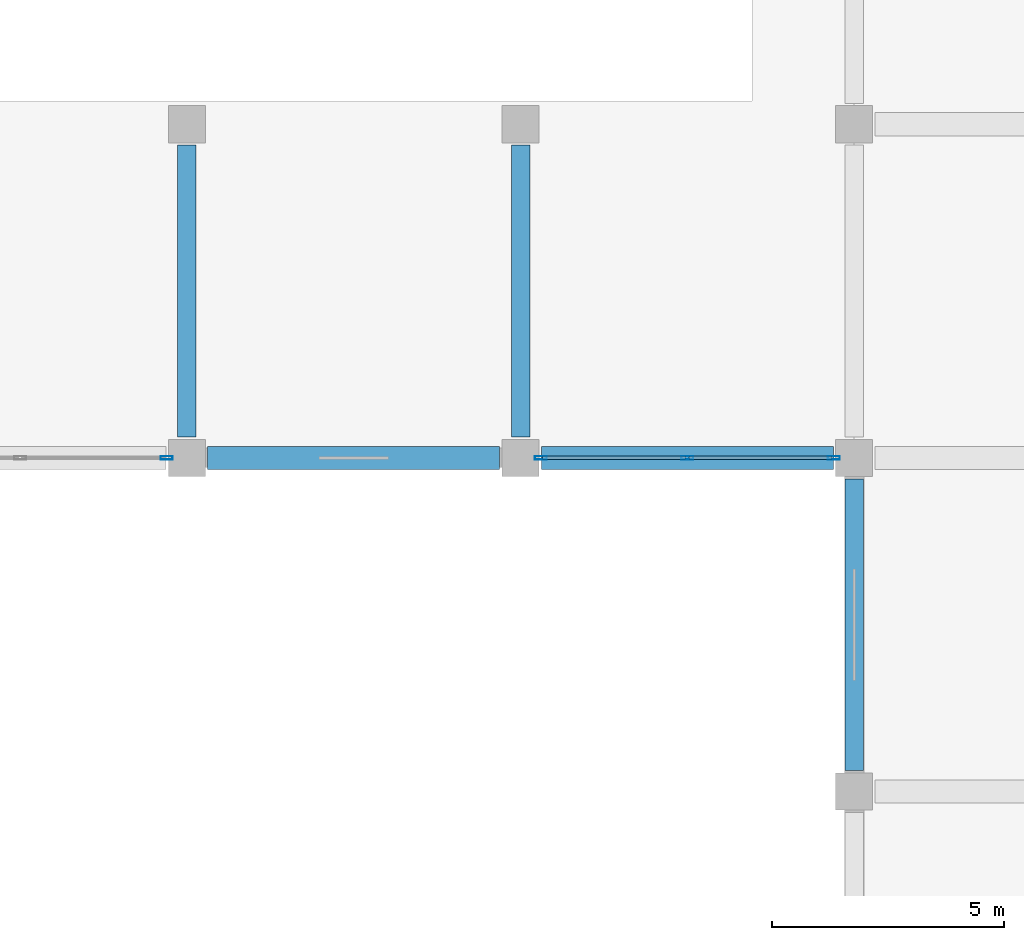
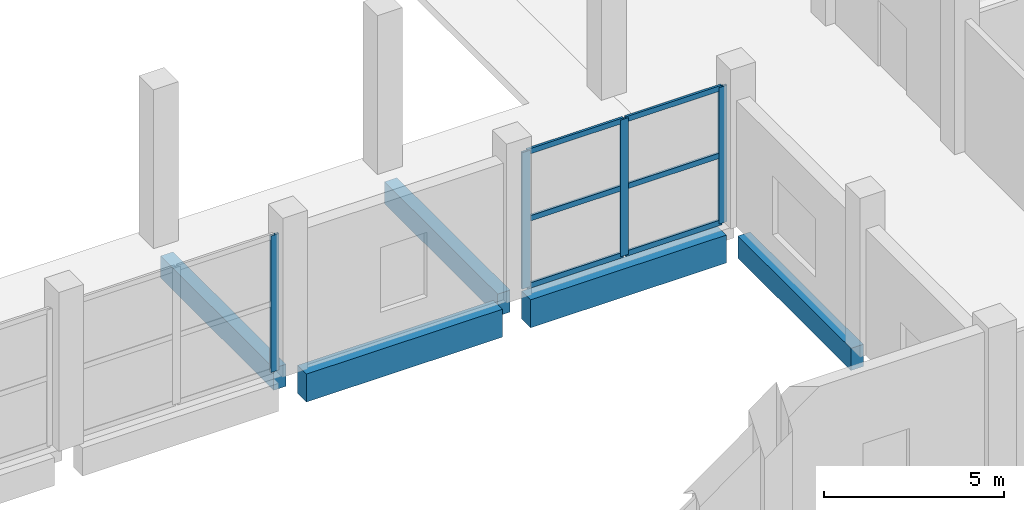
# One storey, part 37 of 70: 10 members, 5 beams, 2 elements without a shape of their own.
"""IFC4 building model written with IfcOpenShell, lengths in metres."""

from ifc_helpers import new_model, si_unit, direction, frame, origin, origin_2d, place, context, subcontext, project, spatial, rectangle, hollow_rectangle, extrude, material, material_profile, profile_set, type_object, element, aggregate, save


model = new_model("IFC4")

# Units and contexts
model_context = context("Model", 3, precision=1e-05, world=origin(), true_north=direction((0.0, 1.0)))
body_context = subcontext(model_context, "Body", "Model", "MODEL_VIEW")
ifc_project = project(units=[si_unit("LENGTHUNIT", "METRE"), si_unit("AREAUNIT", "SQUARE_METRE"), si_unit("VOLUMEUNIT", "CUBIC_METRE"), si_unit("PLANEANGLEUNIT", "RADIAN"), si_unit("MASSUNIT", "GRAM", prefix="KILO")], contexts=[model_context])

# Site, building, storey
site_placement = place(None, origin())
site = spatial("IfcSite", under=ifc_project, at=site_placement, CompositionType="ELEMENT")
building_placement = place(site_placement, origin())
building = spatial("IfcBuilding", under=site, at=building_placement, Name="Vesperath Aquatics Centre", CompositionType="ELEMENT")
storey_placement = place(building_placement, origin())
storey = spatial("IfcBuildingStorey", under=building, at=storey_placement, Name="L00", CompositionType="ELEMENT", Elevation=0.0)

# Beams
ifc_material_1 = material(Name="Concrete C40", Category="concrete")
ifc_material_profile_1 = material_profile(ifc_material_1, rectangle(XDim=0.5, YDim=0.949951171875, at=origin_2d()), Name="RC 500x950")
ifc_profile_set_1 = profile_set([ifc_material_profile_1], Name="Concrete C40")
beam_type_1 = type_object("IfcBeamType", Name="BM-G02", PredefinedType="BEAM", material=ifc_profile_set_1)
for number, where, z_axis, x_axis, name in (
    (1, (130.050048828125, 64.800048828125, -0.7548828125), (1.0, 0.0, 0.0), (0.0, 1.0, 0.0), "Floor Girder B02 L00 K 19-20"),
    (2, (137.25, 64.800048828125, -0.7548828125), (1.0, 0.0, 0.0), (0.0, 1.0, 0.0), "Floor Girder B02 L00 K 20-21"),
):
    element("IfcBeam", number, at=place(storey_placement, frame(where, z_axis=z_axis, x_axis=x_axis)), inside=storey, type_object=beam_type_1, Name=name, PredefinedType="BEAM", context=body_context, shape_type="SweptSolid", body=[
        extrude(rectangle(XDim=0.5, YDim=0.949951171875, at=origin_2d()), origin(), (0.0, 0.0, 1.0), 6.300048828125),
    ])
ifc_material_2 = material(Name="Concrete C35", Category="concrete")
ifc_material_profile_2 = material_profile(ifc_material_2, rectangle(XDim=0.39990234375, YDim=0.75, at=origin_2d()), Name="RC 400x750")
ifc_profile_set_2 = profile_set([ifc_material_profile_2], Name="Concrete C35")
beam_type_2 = type_object("IfcBeamType", Name="BM-G04", PredefinedType="BEAM", material=ifc_profile_set_2)
for number, where, z_axis, x_axis, name in (
    (3, (129.60009765625, 65.25, -0.655029296875), (0.0, 1.0, 0.0), (-1.0, 0.0, 0.0), "Floor Girder B04 L00 19 K-L"),
    (4, (136.800048828125, 65.25, -0.655029296875), (0.0, 1.0, 0.0), (-1.0, 0.0, 0.0), "Floor Girder B04 L00 20 K-L"),
    (5, (144.0, 58.050048828125, -0.655029296875), (0.0, 1.0, 0.0), (-1.0, 0.0, 0.0), "Floor Girder B04 L00 21 J-K"),
):
    element("IfcBeam", number, at=place(storey_placement, frame(where, z_axis=z_axis, x_axis=x_axis)), inside=storey, type_object=beam_type_2, Name=name, PredefinedType="BEAM", context=body_context, shape_type="SweptSolid", body=[
        extrude(rectangle(XDim=0.39990234375, YDim=0.75, at=origin_2d()), origin(), (0.0, 0.0, 1.0), 6.300048828125),
    ])

# Curtain wall, member
ifc_material_3 = material(Name="Thermally broken anodised bronze aluminium curtain wall", Category="aluminium")
curtain_wall_type = type_object("IfcCurtainWallType", Name="CW-01", PredefinedType="NOTDEFINED", material=ifc_material_3)
curtain_wall_1_placement = place(storey_placement, origin())
curtain_wall_1 = element("IfcCurtainWall", 6, at=curtain_wall_1_placement, inside=storey, type_object=curtain_wall_type, Name="Facade Curtain Wall CW01 L00_S_17_09", PredefinedType="NOTDEFINED")
ifc_material_4 = material(Name="Thermally broken anodised aluminium", Category="aluminium")
ifc_material_profile_3 = material_profile(ifc_material_4, hollow_rectangle(XDim=0.074951171875, YDim=0.260009765625, WallThickness=0.006103515625, at=origin_2d()), Name="CWM 75x260x6")
ifc_profile_set_3 = profile_set([ifc_material_profile_3], Name="Thermally broken anodised aluminium")
member_type_1 = type_object("IfcMemberType", Name="MB-CWM1", PredefinedType="MULLION", material=ifc_profile_set_3)
member_1_placement = place(storey_placement, frame((129.16259765625, 64.800048828125, 0.0), z_axis=(0.0, 0.0, 1.0), x_axis=(0.0, 1.0, 0.0)))
member_1 = element("IfcMember", 7, at=member_1_placement, type_object=member_type_1, Name="CW01 mullion 3", PredefinedType="MULLION", context=body_context, shape_type="SweptSolid", body=[
    extrude(hollow_rectangle(XDim=0.074951171875, YDim=0.260009765625, WallThickness=0.006103515625, at=origin_2d()), origin(), (0.0, 0.0, 1.0), 4.639892578125),
])
aggregate(curtain_wall_1, [member_1])

# Curtain wall, members
curtain_wall_2_placement = place(storey_placement, origin())
curtain_wall_2 = element("IfcCurtainWall", 8, at=curtain_wall_2_placement, inside=storey, type_object=curtain_wall_type, Name="Facade Curtain Wall CW01 L00_S_19_09", PredefinedType="NOTDEFINED")
member_2_placement = place(storey_placement, frame((137.237548828125, 64.800048828125, 0.0), z_axis=(0.0, 0.0, 1.0), x_axis=(0.0, 1.0, 0.0)))
member_2 = element("IfcMember", 9, at=member_2_placement, type_object=member_type_1, Name="CW01 mullion 1", PredefinedType="MULLION", context=body_context, shape_type="SweptSolid", body=[
    extrude(hollow_rectangle(XDim=0.074951171875, YDim=0.260009765625, WallThickness=0.006103515625, at=origin_2d()), origin(), (0.0, 0.0, 1.0), 4.639892578125),
])
member_3_placement = place(storey_placement, frame((140.39990234375, 64.800048828125, 0.0), z_axis=(0.0, 0.0, 1.0), x_axis=(0.0, 1.0, 0.0)))
member_3 = element("IfcMember", 10, at=member_3_placement, type_object=member_type_1, Name="CW01 mullion 2", PredefinedType="MULLION", context=body_context, shape_type="SweptSolid", body=[
    extrude(hollow_rectangle(XDim=0.074951171875, YDim=0.260009765625, WallThickness=0.006103515625, at=origin_2d()), origin(), (0.0, 0.0, 1.0), 4.639892578125),
])
member_4_placement = place(storey_placement, frame((143.5625, 64.800048828125, 0.0), z_axis=(0.0, 0.0, 1.0), x_axis=(0.0, 1.0, 0.0)))
member_4 = element("IfcMember", 11, at=member_4_placement, type_object=member_type_1, Name="CW01 mullion 3", PredefinedType="MULLION", context=body_context, shape_type="SweptSolid", body=[
    extrude(hollow_rectangle(XDim=0.074951171875, YDim=0.260009765625, WallThickness=0.006103515625, at=origin_2d()), origin(), (0.0, 0.0, 1.0), 4.639892578125),
])
ifc_material_profile_4 = material_profile(ifc_material_4, hollow_rectangle(XDim=0.074951171875, YDim=0.179931640625, WallThickness=0.0048828125, at=origin_2d()), Name="CWT 75x180x5")
ifc_profile_set_4 = profile_set([ifc_material_profile_4], Name="Thermally broken anodised aluminium")
member_type_2 = type_object("IfcMemberType", Name="MB-CWT1", PredefinedType="USERDEFINED", material=ifc_profile_set_4)
member_5_placement = place(storey_placement, frame((137.27490234375, 64.800048828125, 0.03759765625), z_axis=(1.0, 0.0, 0.0), x_axis=(0.0, 1.0, 0.0)))
member_5 = element("IfcMember", 12, at=member_5_placement, type_object=member_type_2, Name="CW01 transom 1.1", ObjectType="TRANSOM", PredefinedType="USERDEFINED", context=body_context, shape_type="SweptSolid", body=[
    extrude(hollow_rectangle(XDim=0.074951171875, YDim=0.179931640625, WallThickness=0.0048828125, at=origin_2d()), origin(), (0.0, 0.0, 1.0), 3.087646484375),
])
member_6_placement = place(storey_placement, frame((137.27490234375, 64.800048828125, 2.320068359375), z_axis=(1.0, 0.0, 0.0), x_axis=(0.0, 1.0, 0.0)))
member_6 = element("IfcMember", 13, at=member_6_placement, type_object=member_type_2, Name="CW01 transom 1.2", ObjectType="TRANSOM", PredefinedType="USERDEFINED", context=body_context, shape_type="SweptSolid", body=[
    extrude(hollow_rectangle(XDim=0.074951171875, YDim=0.179931640625, WallThickness=0.0048828125, at=origin_2d()), origin(), (0.0, 0.0, 1.0), 3.087646484375),
])
member_7_placement = place(storey_placement, frame((137.27490234375, 64.800048828125, 4.6025390625), z_axis=(1.0, 0.0, 0.0), x_axis=(0.0, 1.0, 0.0)))
member_7 = element("IfcMember", 14, at=member_7_placement, type_object=member_type_2, Name="CW01 transom 1.3", ObjectType="TRANSOM", PredefinedType="USERDEFINED", context=body_context, shape_type="SweptSolid", body=[
    extrude(hollow_rectangle(XDim=0.074951171875, YDim=0.179931640625, WallThickness=0.0048828125, at=origin_2d()), origin(), (0.0, 0.0, 1.0), 3.087646484375),
])
member_8_placement = place(storey_placement, frame((140.4375, 64.800048828125, 0.03759765625), z_axis=(1.0, 0.0, 0.0), x_axis=(0.0, 1.0, 0.0)))
member_8 = element("IfcMember", 15, at=member_8_placement, type_object=member_type_2, Name="CW01 transom 2.1", ObjectType="TRANSOM", PredefinedType="USERDEFINED", context=body_context, shape_type="SweptSolid", body=[
    extrude(hollow_rectangle(XDim=0.074951171875, YDim=0.179931640625, WallThickness=0.0048828125, at=origin_2d()), origin(), (0.0, 0.0, 1.0), 3.08740234375),
])
member_9_placement = place(storey_placement, frame((140.4375, 64.800048828125, 2.320068359375), z_axis=(1.0, 0.0, 0.0), x_axis=(0.0, 1.0, 0.0)))
member_9 = element("IfcMember", 16, at=member_9_placement, type_object=member_type_2, Name="CW01 transom 2.2", ObjectType="TRANSOM", PredefinedType="USERDEFINED", context=body_context, shape_type="SweptSolid", body=[
    extrude(hollow_rectangle(XDim=0.074951171875, YDim=0.179931640625, WallThickness=0.0048828125, at=origin_2d()), origin(), (0.0, 0.0, 1.0), 3.08740234375),
])
member_10_placement = place(storey_placement, frame((140.4375, 64.800048828125, 4.6025390625), z_axis=(1.0, 0.0, 0.0), x_axis=(0.0, 1.0, 0.0)))
member_10 = element("IfcMember", 17, at=member_10_placement, type_object=member_type_2, Name="CW01 transom 2.3", ObjectType="TRANSOM", PredefinedType="USERDEFINED", context=body_context, shape_type="SweptSolid", body=[
    extrude(hollow_rectangle(XDim=0.074951171875, YDim=0.179931640625, WallThickness=0.0048828125, at=origin_2d()), origin(), (0.0, 0.0, 1.0), 3.08740234375),
])
aggregate(curtain_wall_2, [member_2, member_3, member_4, member_5, member_6, member_7, member_8, member_9, member_10])

save(model, "model.ifc")
